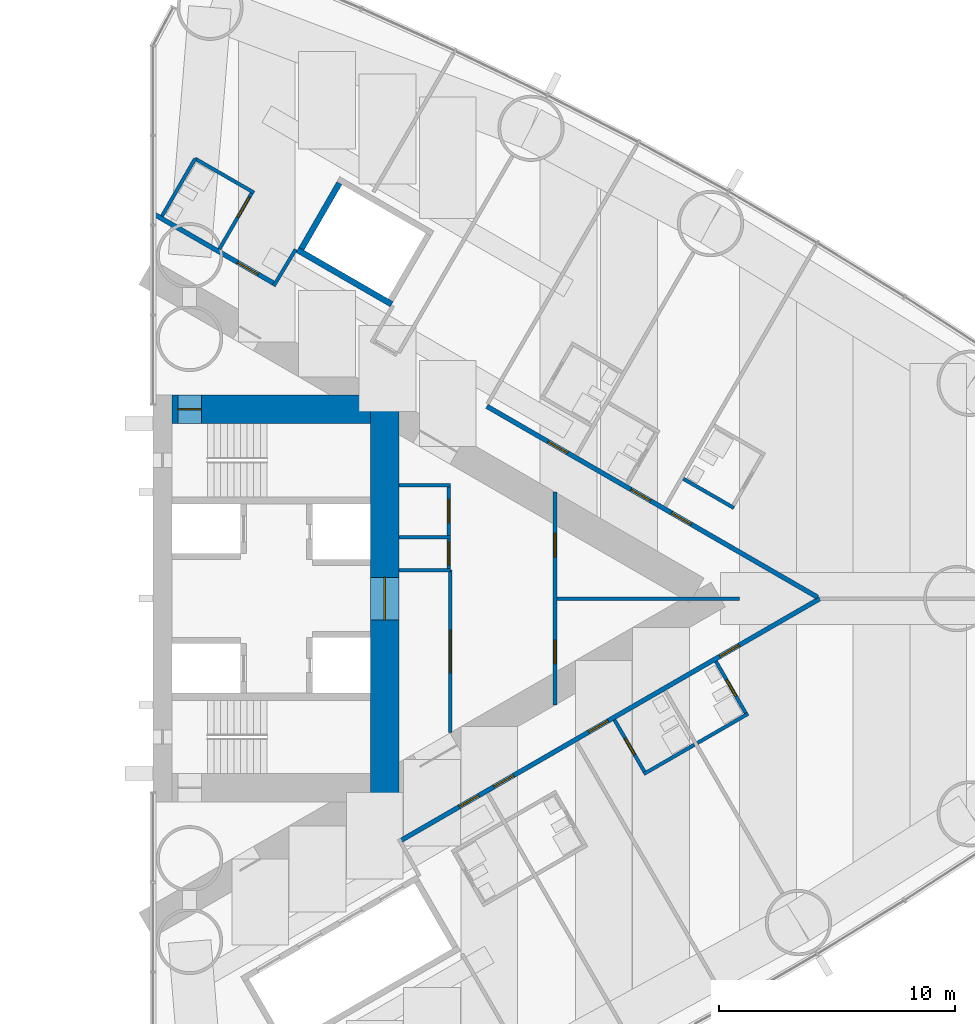
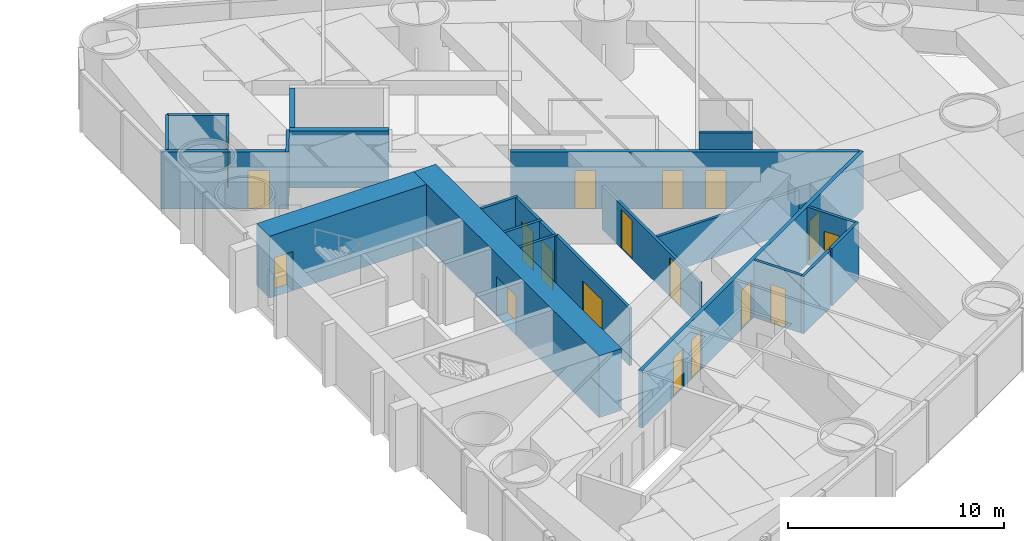
# One storey, part 15 of 19: 24 walls, 18 doors, 18 openings.
"""IFC4 building model written with IfcOpenShell, lengths in metres."""

from ifc_helpers import new_model, si_unit, direction, frame, frame_2d, origin, place, context, subcontext, project, spatial, rectangle, extrude, material, layer, layer_set, type_object, element, fill, save


model = new_model("IFC4")

# Units and contexts
model_context = context("Model", 3, precision=1e-05, world=origin(), true_north=direction((0.0, 1.0)))
body_context = subcontext(model_context, "Body", "Model", "MODEL_VIEW")
ifc_project = project(units=[si_unit("LENGTHUNIT", "METRE"), si_unit("AREAUNIT", "SQUARE_METRE"), si_unit("VOLUMEUNIT", "CUBIC_METRE"), si_unit("PLANEANGLEUNIT", "RADIAN"), si_unit("MASSUNIT", "GRAM", prefix="KILO")], contexts=[model_context])

# Site, building, storey
site_placement = place(None, origin())
site = spatial("IfcSite", under=ifc_project, at=site_placement, CompositionType="ELEMENT")
building_placement = place(site_placement, origin())
building = spatial("IfcBuilding", under=site, at=building_placement, Name="Lancet Gate Hotel", CompositionType="ELEMENT")
storey_placement = place(building_placement, frame((0.0, 0.0, 28.5)))
storey = spatial("IfcBuildingStorey", under=building, at=storey_placement, Name="L06", CompositionType="ELEMENT", Elevation=28.5)

# Wall
ifc_material_1 = material(Name="Moisture resistant board partition")
ifc_layer_1 = layer(ifc_material_1, 0.14990234375)
ifc_layer_set_1 = layer_set([ifc_layer_1], Name="Bathroom wall 150")
wall_type_1 = type_object("IfcWallType", Name="Bathroom wall 150", PredefinedType="PARTITIONING", material=ifc_layer_set_1)
wall_1_placement = place(storey_placement, frame((48.251220703125, -7.419677734375, 0.0), z_axis=(0.0, 0.0, 1.0), x_axis=(0.866006523861, 0.500032699561, 0.0)))
element("IfcWall", 1, at=wall_1_placement, inside=storey, type_object=wall_type_1, Name="T2 bathroom wall 150 L06", PredefinedType="PARTITIONING", context=body_context, shape_type="SweptSolid", body=[
    extrude(rectangle(XDim=2.474853515625, YDim=0.14990234375, at=frame_2d((1.2373046875, 0.0))), origin(), (0.0, 0.0, 1.0), 3.25),
])

# Wall, opening, door
wall_2_placement = place(storey_placement, frame((47.01611328125, -5.13037109375, 0.0), z_axis=(0.0, 0.0, 1.0), x_axis=(0.500006934395, -0.866021400173, 0.0)))
wall_2 = element("IfcWall", 2, at=wall_2_placement, inside=storey, type_object=wall_type_1, Name="T2 bathroom wall 150 L06", PredefinedType="PARTITIONING", context=body_context, shape_type="SweptSolid", body=[
    extrude(rectangle(XDim=2.60009765625, YDim=0.14990234375, at=frame_2d((1.300048828125, 0.0))), origin(), (0.0, 0.0, 1.0), 3.25),
])
opening_1_placement = place(wall_2_placement, frame((0.89990234375, 0.0, 0.0)))
opening_1 = element("IfcOpeningElement", 3, at=opening_1_placement, cuts=wall_2, Name="Opening 0655-B", PredefinedType="OPENING", context=body_context, shape_type="SweptSolid", body=[
    extrude(rectangle(XDim=0.800048828125, YDim=2.199951171875, at=frame_2d((0.39990234375, 1.10009765625))), frame((0.0, 0.0849609375, 0.0), z_axis=(0.0, -1.0, 0.0), x_axis=(1.0, 0.0, 0.0)), (0.0, 0.0, 1.0), 0.169921875),
])
ifc_material_2 = material(Name="Timber door set", Category="wood")
door_type_1 = type_object("IfcDoorType", Name="Bathroom door 800", OperationType="SINGLE_SWING_RIGHT", PredefinedType="DOOR", material=ifc_material_2)
door_1_placement = place(opening_1_placement, origin())
door_1 = element("IfcDoor", 4, at=door_1_placement, inside=storey, type_object=door_type_1, Name="0655-B", OperationType="SINGLE_SWING_RIGHT", OverallHeight=2.199951171875, OverallWidth=0.800048828125, PredefinedType="DOOR", context=body_context, shape_type="SweptSolid", body=[
    extrude(rectangle(XDim=0.800048828125, YDim=2.199951171875, at=frame_2d((0.39990234375, 1.10009765625))), frame((0.0, 0.02490234375, 0.0), z_axis=(0.0, -1.0, 0.0), x_axis=(1.0, 0.0, 0.0)), (0.0, 0.0, 1.0), 0.050048828125),
])
fill(opening_1, door_1)

# Wall
wall_3_placement = place(storey_placement, frame((50.5244140625, -6.107177734375, 0.0), z_axis=(0.0, 0.0, 1.0), x_axis=(0.866031185235, 0.4999899861, 0.0)))
element("IfcWall", 5, at=wall_3_placement, inside=storey, type_object=wall_type_1, Name="T2 bathroom wall 150 L06", PredefinedType="PARTITIONING", context=body_context, shape_type="SweptSolid", body=[
    extrude(rectangle(XDim=2.47509765625, YDim=0.14990234375, at=frame_2d((1.237548828125, 0.0))), origin(), (0.0, 0.0, 1.0), 3.25),
])

# Wall, opening, door
wall_4_placement = place(storey_placement, frame((51.302978515625, -2.655517578125, 0.0), z_axis=(0.0, 0.0, 1.0), x_axis=(0.500047596559, -0.865997922154, 0.0)))
wall_4 = element("IfcWall", 6, at=wall_4_placement, inside=storey, type_object=wall_type_1, Name="T2 bathroom wall 150 L06", PredefinedType="PARTITIONING", context=body_context, shape_type="SweptSolid", body=[
    extrude(rectangle(XDim=2.599853515625, YDim=0.14990234375, at=frame_2d((1.2998046875, 0.0))), origin(), (0.0, 0.0, 1.0), 3.25),
])
opening_2_placement = place(wall_4_placement, frame((0.89990234375, 0.0, 0.0)))
opening_2 = element("IfcOpeningElement", 7, at=opening_2_placement, cuts=wall_4, Name="Opening 0656-B", PredefinedType="OPENING", context=body_context, shape_type="SweptSolid", body=[
    extrude(rectangle(XDim=0.800048828125, YDim=2.199951171875, at=frame_2d((0.39990234375, 1.10009765625))), frame((0.0, 0.0849609375, 0.0), z_axis=(0.0, -1.0, 0.0), x_axis=(1.0, 0.0, 0.0)), (0.0, 0.0, 1.0), 0.169921875),
])
door_2_placement = place(opening_2_placement, origin())
door_2 = element("IfcDoor", 8, at=door_2_placement, inside=storey, type_object=door_type_1, Name="0656-B", OperationType="SINGLE_SWING_RIGHT", OverallHeight=2.199951171875, OverallWidth=0.800048828125, PredefinedType="DOOR", context=body_context, shape_type="SweptSolid", body=[
    extrude(rectangle(XDim=0.800048828125, YDim=2.199951171875, at=frame_2d((0.39990234375, 1.10009765625))), frame((0.0, 0.02490234375, 0.0), z_axis=(0.0, -1.0, 0.0), x_axis=(1.0, 0.0, 0.0)), (0.0, 0.0, 1.0), 0.050048828125),
])
fill(opening_2, door_2)

# Walls
wall_5_placement = place(storey_placement, frame((49.924560546875, 5.06787109375, 0.0), z_axis=(0.0, 0.0, 1.0), x_axis=(0.866006523861, -0.500032699561, 0.0)))
element("IfcWall", 9, at=wall_5_placement, inside=storey, type_object=wall_type_1, Name="T2 bathroom wall 150 L06", PredefinedType="PARTITIONING", context=body_context, shape_type="SweptSolid", body=[
    extrude(rectangle(XDim=2.474853515625, YDim=0.14990234375, at=frame_2d((1.2373046875, 0.0))), origin(), (0.0, 0.0, 1.0), 3.25),
])
wall_6_placement = place(storey_placement, frame((29.281982421875, 18.6025390625, 0.0), z_axis=(0.0, 0.0, 1.0), x_axis=(0.866018712932, -0.500011588718, 0.0)))
element("IfcWall", 10, at=wall_6_placement, inside=storey, type_object=wall_type_1, Name="T2 bathroom wall 150 L06", PredefinedType="PARTITIONING", context=body_context, shape_type="SweptSolid", body=[
    extrude(rectangle(XDim=2.875, YDim=0.14990234375, at=frame_2d((1.4375, 0.0))), origin(), (0.0, 0.0, 1.0), 3.25),
])

# Wall, opening, door
wall_7_placement = place(storey_placement, frame((30.306640625, 14.777587890625, 0.0), z_axis=(0.0, 0.0, 1.0), x_axis=(0.500049511043, 0.865996816683, 0.0)))
wall_7 = element("IfcWall", 11, at=wall_7_placement, inside=storey, type_object=wall_type_1, Name="T2 bathroom wall 150 L06", PredefinedType="PARTITIONING", context=body_context, shape_type="SweptSolid", body=[
    extrude(rectangle(XDim=2.800048828125, YDim=0.14990234375, at=frame_2d((1.39990234375, 0.0))), origin(), (0.0, 0.0, 1.0), 3.25),
])
opening_3_placement = place(wall_7_placement, frame((1.550048828125, 0.0, 0.0)))
opening_3 = element("IfcOpeningElement", 12, at=opening_3_placement, cuts=wall_7, Name="Opening 0664-B", PredefinedType="OPENING", context=body_context, shape_type="SweptSolid", body=[
    extrude(rectangle(XDim=1.0, YDim=2.199951171875, at=frame_2d((0.5, 1.10009765625))), frame((0.0, 0.0849609375, 0.0), z_axis=(0.0, -1.0, 0.0), x_axis=(1.0, 0.0, 0.0)), (0.0, 0.0, 1.0), 0.169921875),
])
ifc_material_3 = material(Name="Timber door set", Category="wood")
door_type_2 = type_object("IfcDoorType", Name="Accessible en-suite door 1000", OperationType="SINGLE_SWING_RIGHT", PredefinedType="DOOR", material=ifc_material_3)
door_3_placement = place(opening_3_placement, origin())
door_3 = element("IfcDoor", 13, at=door_3_placement, inside=storey, type_object=door_type_2, Name="0664-B", OperationType="SINGLE_SWING_RIGHT", OverallHeight=2.199951171875, OverallWidth=1.0, PredefinedType="DOOR", context=body_context, shape_type="SweptSolid", body=[
    extrude(rectangle(XDim=1.0, YDim=2.199951171875, at=frame_2d((0.5, 1.10009765625))), frame((0.0, 0.02490234375, 0.0), z_axis=(0.0, -1.0, 0.0), x_axis=(1.0, 0.0, 0.0)), (0.0, 0.0, 1.0), 0.050048828125),
])
fill(opening_3, door_3)

# Wall
wall_8_placement = place(storey_placement, frame((27.8818359375, 16.177490234375, 0.0), z_axis=(0.0, 0.0, 1.0), x_axis=(0.500011755427, 0.866018616679, 0.0)))
element("IfcWall", 14, at=wall_8_placement, inside=storey, type_object=wall_type_1, Name="T2 bathroom wall 150 L06", PredefinedType="PARTITIONING", context=body_context, shape_type="SweptSolid", body=[
    extrude(rectangle(XDim=2.80029296875, YDim=0.14990234375, at=frame_2d((1.400146484375, 0.0))), origin(), (0.0, 0.0, 1.0), 3.25),
])

# Wall, opening, door
ifc_material_4 = material(Name="Concrete C70/85", Category="concrete")
ifc_layer_2 = layer(ifc_material_4, 1.199951171875)
ifc_layer_set_2 = layer_set([ifc_layer_2], Name="Core wall 1200")
wall_type_2 = type_object("IfcWallType", Name="Core wall 1200", PredefinedType="SHEAR", material=ifc_layer_set_2)
wall_9_placement = place(storey_placement, frame((37.300048828125, -8.60009765625, 0.0), z_axis=(0.0, 0.0, 1.0), x_axis=(0.0, 1.0, 0.0)))
wall_9 = element("IfcWall", 15, at=wall_9_placement, inside=storey, type_object=wall_type_2, Name="T2 core wall back L06", PredefinedType="SHEAR", context=body_context, shape_type="SweptSolid", body=[
    extrude(rectangle(XDim=17.2001953125, YDim=1.199951171875, at=frame_2d((8.60009765625, 0.0))), origin(), (0.0, 0.0, 1.0), 3.5),
])
opening_4_placement = place(wall_9_placement, frame((7.699951171875, 0.0, 0.0)))
opening_4 = element("IfcOpeningElement", 16, at=opening_4_placement, cuts=wall_9, Name="Opening T2-L06-LL", PredefinedType="OPENING", context=body_context, shape_type="SweptSolid", body=[
    extrude(rectangle(XDim=1.800048828125, YDim=2.199951171875, at=frame_2d((0.89990234375, 1.10009765625))), frame((0.0, 0.60986328125, 0.0), z_axis=(0.0, -1.0, 0.0), x_axis=(1.0, 0.0, 0.0)), (0.0, 0.0, 1.0), 1.219970703125),
])
ifc_material_5 = material(Name="Timber door set", Category="wood")
door_type_3 = type_object("IfcDoorType", Name="Lobby double door 1800", OperationType="DOUBLE_DOOR_SINGLE_SWING", PredefinedType="DOOR", material=ifc_material_5)
door_4_placement = place(opening_4_placement, origin())
door_4 = element("IfcDoor", 17, at=door_4_placement, inside=storey, type_object=door_type_3, Name="T2-L06-LL", OperationType="DOUBLE_DOOR_SINGLE_SWING", OverallHeight=2.199951171875, OverallWidth=1.800048828125, PredefinedType="DOOR", context=body_context, shape_type="SweptSolid", body=[
    extrude(rectangle(XDim=1.800048828125, YDim=2.199951171875, at=frame_2d((0.89990234375, 1.10009765625))), frame((0.0, 0.02490234375, 0.0), z_axis=(0.0, -1.0, 0.0), x_axis=(1.0, 0.0, 0.0)), (0.0, 0.0, 1.0), 0.050048828125),
])
fill(opening_4, door_4)

wall_10_placement = place(storey_placement, frame((28.300048828125, 8.0, 0.0), z_axis=(0.0, 0.0, 1.0), x_axis=(1.0, 0.0, 0.0)))
wall_10 = element("IfcWall", 18, at=wall_10_placement, inside=storey, type_object=wall_type_2, Name="T2 core wall side-N L06", PredefinedType="SHEAR", context=body_context, shape_type="SweptSolid", body=[
    extrude(rectangle(XDim=8.39990234375, YDim=1.199951171875, at=frame_2d((4.199951171875, 0.0))), origin(), (0.0, 0.0, 1.0), 3.5),
])
opening_5_placement = place(wall_10_placement, frame((0.25, 0.0, 0.0)))
opening_5 = element("IfcOpeningElement", 19, at=opening_5_placement, cuts=wall_10, Name="Opening T2-L06-ST2", PredefinedType="OPENING", context=body_context, shape_type="SweptSolid", body=[
    extrude(rectangle(XDim=1.0, YDim=2.199951171875, at=frame_2d((0.5, 1.10009765625))), frame((0.0, 0.60986328125, 0.0), z_axis=(0.0, -1.0, 0.0), x_axis=(1.0, 0.0, 0.0)), (0.0, 0.0, 1.0), 1.219970703125),
])
ifc_material_6 = material(Name="Timber door set", Category="wood")
door_type_4 = type_object("IfcDoorType", Name="Stair door 1000", OperationType="SINGLE_SWING_RIGHT", PredefinedType="DOOR", material=ifc_material_6)
door_5_placement = place(opening_5_placement, origin())
door_5 = element("IfcDoor", 20, at=door_5_placement, inside=storey, type_object=door_type_4, Name="T2-L06-ST2", OperationType="SINGLE_SWING_RIGHT", OverallHeight=2.199951171875, OverallWidth=1.0, PredefinedType="DOOR", context=body_context, shape_type="SweptSolid", body=[
    extrude(rectangle(XDim=1.0, YDim=2.199951171875, at=frame_2d((0.5, 1.10009765625))), frame((0.0, 0.02490234375, 0.0), z_axis=(0.0, -1.0, 0.0), x_axis=(1.0, 0.0, 0.0)), (0.0, 0.0, 1.0), 0.050048828125),
])
fill(opening_5, door_5)

# Wall, openings, doors
ifc_material_7 = material(Name="Gypsum board partition")
ifc_layer_3 = layer(ifc_material_7, 0.199951171875)
ifc_layer_set_3 = layer_set([ifc_layer_3], Name="Corridor wall 200")
wall_type_3 = type_object("IfcWallType", Name="Corridor wall 200", PredefinedType="PARTITIONING", material=ifc_layer_set_3)
wall_11_placement = place(storey_placement, frame((37.9599609375, -10.243408203125, 0.0), z_axis=(0.0, 0.0, 1.0), x_axis=(0.866026429433, 0.499998223521, 0.0)))
wall_11 = element("IfcWall", 21, at=wall_11_placement, inside=storey, type_object=wall_type_3, Name="T2 corridor wall 200 L06", PredefinedType="PARTITIONING", context=body_context, shape_type="SweptSolid", body=[
    extrude(rectangle(XDim=20.48681640625, YDim=0.199951171875, at=frame_2d((10.243408203125, 0.0))), origin(), (0.0, 0.0, 1.0), 3.25),
])
opening_6_placement = place(wall_11_placement, frame((4.574951171875, 0.0, 0.0)))
opening_6 = element("IfcOpeningElement", 22, at=opening_6_placement, cuts=wall_11, Name="Opening 0654-E", PredefinedType="OPENING", context=body_context, shape_type="SweptSolid", body=[
    extrude(rectangle(XDim=0.949951171875, YDim=2.199951171875, at=frame_2d((0.47509765625, 1.10009765625))), frame((0.0, 0.10986328125, 0.0), z_axis=(0.0, -1.0, 0.0), x_axis=(1.0, 0.0, 0.0)), (0.0, 0.0, 1.0), 0.219970703125),
])
opening_7_placement = place(wall_11_placement, frame((9.199462890625, 0.0, 0.0)))
opening_7 = element("IfcOpeningElement", 23, at=opening_7_placement, cuts=wall_11, Name="Opening 0655-E", PredefinedType="OPENING", context=body_context, shape_type="SweptSolid", body=[
    extrude(rectangle(XDim=0.949951171875, YDim=2.199951171875, at=frame_2d((0.47509765625, 1.10009765625))), frame((0.0, 0.10986328125, 0.0), z_axis=(0.0, -1.0, 0.0), x_axis=(1.0, 0.0, 0.0)), (0.0, 0.0, 1.0), 0.219970703125),
])
opening_8_placement = place(wall_11_placement, frame((15.599365234375, 0.0, 0.0)))
opening_8 = element("IfcOpeningElement", 24, at=opening_8_placement, cuts=wall_11, Name="Opening 0656-E", PredefinedType="OPENING", context=body_context, shape_type="SweptSolid", body=[
    extrude(rectangle(XDim=0.949951171875, YDim=2.199951171875, at=frame_2d((0.47509765625, 1.10009765625))), frame((0.0, 0.10986328125, 0.0), z_axis=(0.0, -1.0, 0.0), x_axis=(1.0, 0.0, 0.0)), (0.0, 0.0, 1.0), 0.219970703125),
])
opening_9_placement = place(wall_11_placement, frame((2.875, 0.0, 0.0)))
opening_9 = element("IfcOpeningElement", 25, at=opening_9_placement, cuts=wall_11, Name="Opening 0653-E", PredefinedType="OPENING", context=body_context, shape_type="SweptSolid", body=[
    extrude(rectangle(XDim=0.949951171875, YDim=2.199951171875, at=frame_2d((0.47509765625, 1.10009765625))), frame((0.0, 0.10986328125, 0.0), z_axis=(0.0, -1.0, 0.0), x_axis=(1.0, 0.0, 0.0)), (0.0, 0.0, 1.0), 0.219970703125),
])
ifc_material_8 = material(Name="Timber door set", Category="wood")
door_type_5 = type_object("IfcDoorType", Name="Guest room entry door 950", OperationType="SINGLE_SWING_LEFT", PredefinedType="DOOR", material=ifc_material_8)
door_6_placement = place(opening_6_placement, origin())
door_6 = element("IfcDoor", 26, at=door_6_placement, inside=storey, type_object=door_type_5, Name="0654-E", OperationType="SINGLE_SWING_LEFT", OverallHeight=2.199951171875, OverallWidth=0.949951171875, PredefinedType="DOOR", context=body_context, shape_type="SweptSolid", body=[
    extrude(rectangle(XDim=0.949951171875, YDim=2.199951171875, at=frame_2d((0.47509765625, 1.10009765625))), frame((0.0, 0.02490234375, 0.0), z_axis=(0.0, -1.0, 0.0), x_axis=(1.0, 0.0, 0.0)), (0.0, 0.0, 1.0), 0.050048828125),
])
fill(opening_6, door_6)
door_7_placement = place(opening_7_placement, origin())
door_7 = element("IfcDoor", 27, at=door_7_placement, inside=storey, type_object=door_type_5, Name="0655-E", OperationType="SINGLE_SWING_LEFT", OverallHeight=2.199951171875, OverallWidth=0.949951171875, PredefinedType="DOOR", context=body_context, shape_type="SweptSolid", body=[
    extrude(rectangle(XDim=0.949951171875, YDim=2.199951171875, at=frame_2d((0.47509765625, 1.10009765625))), frame((0.0, 0.02490234375, 0.0), z_axis=(0.0, -1.0, 0.0), x_axis=(1.0, 0.0, 0.0)), (0.0, 0.0, 1.0), 0.050048828125),
])
fill(opening_7, door_7)
door_8_placement = place(opening_8_placement, origin())
door_8 = element("IfcDoor", 28, at=door_8_placement, inside=storey, type_object=door_type_5, Name="0656-E", OperationType="SINGLE_SWING_LEFT", OverallHeight=2.199951171875, OverallWidth=0.949951171875, PredefinedType="DOOR", context=body_context, shape_type="SweptSolid", body=[
    extrude(rectangle(XDim=0.949951171875, YDim=2.199951171875, at=frame_2d((0.47509765625, 1.10009765625))), frame((0.0, 0.02490234375, 0.0), z_axis=(0.0, -1.0, 0.0), x_axis=(1.0, 0.0, 0.0)), (0.0, 0.0, 1.0), 0.050048828125),
])
fill(opening_8, door_8)
door_9_placement = place(opening_9_placement, origin())
door_9 = element("IfcDoor", 29, at=door_9_placement, inside=storey, type_object=door_type_5, Name="0653-E", OperationType="SINGLE_SWING_LEFT", OverallHeight=2.199951171875, OverallWidth=0.949951171875, PredefinedType="DOOR", context=body_context, shape_type="SweptSolid", body=[
    extrude(rectangle(XDim=0.949951171875, YDim=2.199951171875, at=frame_2d((0.47509765625, 1.10009765625))), frame((0.0, 0.02490234375, 0.0), z_axis=(0.0, -1.0, 0.0), x_axis=(1.0, 0.0, 0.0)), (0.0, 0.0, 1.0), 0.050048828125),
])
fill(opening_9, door_9)

# Wall, opening, door
wall_12_placement = place(storey_placement, frame((27.572021484375, 16.240966796875, 0.0), z_axis=(0.0, 0.0, 1.0), x_axis=(0.866032814021, -0.499987164874, 0.0)))
wall_12 = element("IfcWall", 30, at=wall_12_placement, inside=storey, type_object=wall_type_3, Name="T2 corridor wall 200 L06", PredefinedType="PARTITIONING", context=body_context, shape_type="SweptSolid", body=[
    extrude(rectangle(XDim=5.854736328125, YDim=0.199951171875, at=frame_2d((2.92724609375, 0.0))), origin(), (0.0, 0.0, 1.0), 3.25),
])
opening_10_placement = place(wall_12_placement, frame((4.050048828125, 0.0, 0.0)))
opening_10 = element("IfcOpeningElement", 31, at=opening_10_placement, cuts=wall_12, Name="Opening 0664-E", PredefinedType="OPENING", context=body_context, shape_type="SweptSolid", body=[
    extrude(rectangle(XDim=1.0, YDim=2.199951171875, at=frame_2d((0.5, 1.10009765625))), frame((0.0, 0.10986328125, 0.0), z_axis=(0.0, -1.0, 0.0), x_axis=(1.0, 0.0, 0.0)), (0.0, 0.0, 1.0), 0.219970703125),
])
ifc_material_9 = material(Name="Timber door set", Category="wood")
door_type_6 = type_object("IfcDoorType", Name="Accessible guest room door 1000", OperationType="SINGLE_SWING_LEFT", PredefinedType="DOOR", material=ifc_material_9)
door_10_placement = place(opening_10_placement, origin())
door_10 = element("IfcDoor", 32, at=door_10_placement, inside=storey, type_object=door_type_6, Name="0664-E", OperationType="SINGLE_SWING_LEFT", OverallHeight=2.199951171875, OverallWidth=1.0, PredefinedType="DOOR", context=body_context, shape_type="SweptSolid", body=[
    extrude(rectangle(XDim=1.0, YDim=2.199951171875, at=frame_2d((0.5, 1.10009765625))), frame((0.0, 0.02490234375, 0.0), z_axis=(0.0, -1.0, 0.0), x_axis=(1.0, 0.0, 0.0)), (0.0, 0.0, 1.0), 0.050048828125),
])
fill(opening_10, door_10)

# Wall, openings, doors
wall_13_placement = place(storey_placement, frame((41.618896484375, 8.130859375, 0.0), z_axis=(0.0, 0.0, 1.0), x_axis=(0.86603245327, -0.499987789734, 0.0)))
wall_13 = element("IfcWall", 33, at=wall_13_placement, inside=storey, type_object=wall_type_3, Name="T2 corridor wall 200 L06", PredefinedType="PARTITIONING", context=body_context, shape_type="SweptSolid", body=[
    extrude(rectangle(XDim=16.14208984375, YDim=0.199951171875, at=frame_2d((8.071044921875, 0.0))), origin(), (0.0, 0.0, 1.0), 3.25),
])
opening_11_placement = place(wall_13_placement, frame((9.0244140625, 0.0, 0.0)))
opening_11 = element("IfcOpeningElement", 34, at=opening_11_placement, cuts=wall_13, Name="Opening 0658-E", PredefinedType="OPENING", context=body_context, shape_type="SweptSolid", body=[
    extrude(rectangle(XDim=0.949951171875, YDim=2.199951171875, at=frame_2d((0.47509765625, 1.10009765625))), frame((0.0, 0.10986328125, 0.0), z_axis=(0.0, -1.0, 0.0), x_axis=(1.0, 0.0, 0.0)), (0.0, 0.0, 1.0), 0.219970703125),
])
opening_12_placement = place(wall_13_placement, frame((7.03662109375, 0.0, 0.0)))
opening_12 = element("IfcOpeningElement", 35, at=opening_12_placement, cuts=wall_13, Name="Opening 0660-E", PredefinedType="OPENING", context=body_context, shape_type="SweptSolid", body=[
    extrude(rectangle(XDim=0.949951171875, YDim=2.199951171875, at=frame_2d((0.47509765625, 1.10009765625))), frame((0.0, 0.10986328125, 0.0), z_axis=(0.0, -1.0, 0.0), x_axis=(1.0, 0.0, 0.0)), (0.0, 0.0, 1.0), 0.219970703125),
])
opening_13_placement = place(wall_13_placement, frame((2.986572265625, 0.0, 0.0)))
opening_13 = element("IfcOpeningElement", 36, at=opening_13_placement, cuts=wall_13, Name="Opening 0661-E", PredefinedType="OPENING", context=body_context, shape_type="SweptSolid", body=[
    extrude(rectangle(XDim=0.949951171875, YDim=2.199951171875, at=frame_2d((0.47509765625, 1.10009765625))), frame((0.0, 0.10986328125, 0.0), z_axis=(0.0, -1.0, 0.0), x_axis=(1.0, 0.0, 0.0)), (0.0, 0.0, 1.0), 0.219970703125),
])
door_11_placement = place(opening_11_placement, origin())
door_11 = element("IfcDoor", 37, at=door_11_placement, inside=storey, type_object=door_type_5, Name="0658-E", OperationType="SINGLE_SWING_LEFT", OverallHeight=2.199951171875, OverallWidth=0.949951171875, PredefinedType="DOOR", context=body_context, shape_type="SweptSolid", body=[
    extrude(rectangle(XDim=0.949951171875, YDim=2.199951171875, at=frame_2d((0.47509765625, 1.10009765625))), frame((0.0, 0.02490234375, 0.0), z_axis=(0.0, -1.0, 0.0), x_axis=(1.0, 0.0, 0.0)), (0.0, 0.0, 1.0), 0.050048828125),
])
fill(opening_11, door_11)
door_12_placement = place(opening_12_placement, origin())
door_12 = element("IfcDoor", 38, at=door_12_placement, inside=storey, type_object=door_type_5, Name="0660-E", OperationType="SINGLE_SWING_LEFT", OverallHeight=2.199951171875, OverallWidth=0.949951171875, PredefinedType="DOOR", context=body_context, shape_type="SweptSolid", body=[
    extrude(rectangle(XDim=0.949951171875, YDim=2.199951171875, at=frame_2d((0.47509765625, 1.10009765625))), frame((0.0, 0.02490234375, 0.0), z_axis=(0.0, -1.0, 0.0), x_axis=(1.0, 0.0, 0.0)), (0.0, 0.0, 1.0), 0.050048828125),
])
fill(opening_12, door_12)
door_13_placement = place(opening_13_placement, origin())
door_13 = element("IfcDoor", 39, at=door_13_placement, inside=storey, type_object=door_type_5, Name="0661-E", OperationType="SINGLE_SWING_LEFT", OverallHeight=2.199951171875, OverallWidth=0.949951171875, PredefinedType="DOOR", context=body_context, shape_type="SweptSolid", body=[
    extrude(rectangle(XDim=0.949951171875, YDim=2.199951171875, at=frame_2d((0.47509765625, 1.10009765625))), frame((0.0, 0.02490234375, 0.0), z_axis=(0.0, -1.0, 0.0), x_axis=(1.0, 0.0, 0.0)), (0.0, 0.0, 1.0), 0.050048828125),
])
fill(opening_13, door_13)

# Walls
ifc_material_10 = material(Name="Gypsum board partition")
ifc_layer_4 = layer(ifc_material_10, 0.25)
ifc_layer_set_4 = layer_set([ifc_layer_4], Name="Lift shaft partition 250")
wall_type_4 = type_object("IfcWallType", Name="Lift shaft partition 250", PredefinedType="PARTITIONING", material=ifc_layer_set_4)
wall_14_placement = place(storey_placement, frame((33.6083984375, 14.747314453125, 0.0), z_axis=(0.0, 0.0, 1.0), x_axis=(0.866043305498, -0.49996899204, 0.0)))
element("IfcWall", 40, at=wall_14_placement, inside=storey, type_object=wall_type_4, Name="T2 lift shaft wall EX L06", PredefinedType="PARTITIONING", context=body_context, shape_type="SweptSolid", body=[
    extrude(rectangle(XDim=4.600341796875, YDim=0.25, at=frame_2d((2.30029296875, 0.0))), origin(), (0.0, 0.0, 1.0), 3.25),
])
wall_15_placement = place(storey_placement, frame((33.779296875, 14.79296875, 0.0), z_axis=(0.0, 0.0, 1.0), x_axis=(0.499929347863, 0.866066190972, 0.0)))
element("IfcWall", 41, at=wall_15_placement, inside=storey, type_object=wall_type_4, Name="T2 lift shaft wall EX L06", PredefinedType="PARTITIONING", context=body_context, shape_type="SweptSolid", body=[
    extrude(rectangle(XDim=3.20068359375, YDim=0.25, at=frame_2d((1.600341796875, 0.0))), origin(), (0.0, 0.0, 1.0), 3.25),
])
ifc_material_11 = material(Name="Gypsum board partition")
ifc_layer_5 = layer(ifc_material_11, 0.14990234375)
ifc_layer_set_5 = layer_set([ifc_layer_5], Name="Service room wall 150")
wall_type_5 = type_object("IfcWallType", Name="Service room wall 150", PredefinedType="PARTITIONING", material=ifc_layer_set_5)
wall_16_placement = place(storey_placement, frame((33.533447265625, 14.767333984375, 0.0), z_axis=(0.0, 0.0, 1.0), x_axis=(-0.514296815006, -0.857612258585, 0.0)))
element("IfcWall", 42, at=wall_16_placement, inside=storey, type_object=wall_type_5, Name="T2 service room wall 150 L06", PredefinedType="PARTITIONING", context=body_context, shape_type="SweptSolid", body=[
    extrude(rectangle(XDim=1.804931640625, YDim=0.14990234375, at=frame_2d((0.90234375, 0.0))), origin(), (0.0, 0.0, 1.0), 3.25),
])
for number, where, z_axis, x_axis, name in (
    (43, (37.89990234375, 1.199951171875, 0.0), (0.0, 0.0, 1.0), (1.0, 0.0, 0.0), "T2 service room wall 150 L06"),
    (44, (37.89990234375, 2.60009765625, 0.0), (0.0, 0.0, 1.0), (1.0, 0.0, 0.0), "T2 service room wall 150 L06"),
    (45, (37.89990234375, 4.800048828125, 0.0), (0.0, 0.0, 1.0), (1.0, 0.0, 0.0), "T2 service room wall 150 L06"),
):
    element("IfcWall", number, at=place(storey_placement, frame(where, z_axis=z_axis, x_axis=x_axis)), inside=storey, type_object=wall_type_5, Name=name, PredefinedType="PARTITIONING", context=body_context, shape_type="SweptSolid", body=[
        extrude(rectangle(XDim=2.175048828125, YDim=0.14990234375, at=frame_2d((1.08740234375, 0.0))), origin(), (0.0, 0.0, 1.0), 3.25),
    ])

# Wall, opening, door
wall_17_placement = place(storey_placement, frame((40.0, 1.125, 0.0), z_axis=(0.0, 0.0, 1.0), x_axis=(0.0, 1.0, 0.0)))
wall_17 = element("IfcWall", 46, at=wall_17_placement, inside=storey, type_object=wall_type_5, Name="T2 service room wall 150 L06", PredefinedType="PARTITIONING", context=body_context, shape_type="SweptSolid", body=[
    extrude(rectangle(XDim=1.550048828125, YDim=0.14990234375, at=frame_2d((0.77490234375, 0.0))), origin(), (0.0, 0.0, 1.0), 3.25),
])
opening_14_placement = place(wall_17_placement, frame((0.27490234375, 0.0, 0.0)))
opening_14 = element("IfcOpeningElement", 47, at=opening_14_placement, cuts=wall_17, Name="Opening T2-L06-HRN0", PredefinedType="OPENING", context=body_context, shape_type="SweptSolid", body=[
    extrude(rectangle(XDim=1.0, YDim=2.199951171875, at=frame_2d((0.5, 1.10009765625))), frame((0.0, 0.0849609375, 0.0), z_axis=(0.0, -1.0, 0.0), x_axis=(1.0, 0.0, 0.0)), (0.0, 0.0, 1.0), 0.169921875),
])
ifc_material_12 = material(Name="Timber door set", Category="wood")
door_type_7 = type_object("IfcDoorType", Name="Service door 1000", OperationType="SINGLE_SWING_LEFT", PredefinedType="DOOR", material=ifc_material_12)
door_14_placement = place(opening_14_placement, origin())
door_14 = element("IfcDoor", 48, at=door_14_placement, inside=storey, type_object=door_type_7, Name="T2-L06-HRN0", OperationType="SINGLE_SWING_LEFT", OverallHeight=2.199951171875, OverallWidth=1.0, PredefinedType="DOOR", context=body_context, shape_type="SweptSolid", body=[
    extrude(rectangle(XDim=1.0, YDim=2.199951171875, at=frame_2d((0.5, 1.10009765625))), frame((0.0, 0.02490234375, 0.0), z_axis=(0.0, -1.0, 0.0), x_axis=(1.0, 0.0, 0.0)), (0.0, 0.0, 1.0), 0.050048828125),
])
fill(opening_14, door_14)

wall_18_placement = place(storey_placement, frame((40.0, 2.52490234375, 0.0), z_axis=(0.0, 0.0, 1.0), x_axis=(0.0, 1.0, 0.0)))
wall_18 = element("IfcWall", 49, at=wall_18_placement, inside=storey, type_object=wall_type_5, Name="T2 service room wall 150 L06", PredefinedType="PARTITIONING", context=body_context, shape_type="SweptSolid", body=[
    extrude(rectangle(XDim=2.35009765625, YDim=0.14990234375, at=frame_2d((1.175048828125, 0.0))), origin(), (0.0, 0.0, 1.0), 3.25),
])
opening_15_placement = place(wall_18_placement, frame((0.675048828125, 0.0, 0.0)))
opening_15 = element("IfcOpeningElement", 50, at=opening_15_placement, cuts=wall_18, Name="Opening T2-L06-HRN1", PredefinedType="OPENING", context=body_context, shape_type="SweptSolid", body=[
    extrude(rectangle(XDim=1.0, YDim=2.199951171875, at=frame_2d((0.5, 1.10009765625))), frame((0.0, 0.0849609375, 0.0), z_axis=(0.0, -1.0, 0.0), x_axis=(1.0, 0.0, 0.0)), (0.0, 0.0, 1.0), 0.169921875),
])
door_15_placement = place(opening_15_placement, origin())
door_15 = element("IfcDoor", 51, at=door_15_placement, inside=storey, type_object=door_type_7, Name="T2-L06-HRN1", OperationType="SINGLE_SWING_LEFT", OverallHeight=2.199951171875, OverallWidth=1.0, PredefinedType="DOOR", context=body_context, shape_type="SweptSolid", body=[
    extrude(rectangle(XDim=1.0, YDim=2.199951171875, at=frame_2d((0.5, 1.10009765625))), frame((0.0, 0.02490234375, 0.0), z_axis=(0.0, -1.0, 0.0), x_axis=(1.0, 0.0, 0.0)), (0.0, 0.0, 1.0), 0.050048828125),
])
fill(opening_15, door_15)

wall_19_placement = place(storey_placement, frame((40.074951171875, -5.673828125, 0.0), z_axis=(0.0, 0.0, 1.0), x_axis=(0.0, 1.0, 0.0)))
wall_19 = element("IfcWall", 52, at=wall_19_placement, inside=storey, type_object=wall_type_5, Name="T2 service room wall 150 L06", PredefinedType="PARTITIONING", context=body_context, shape_type="SweptSolid", body=[
    extrude(rectangle(XDim=6.873779296875, YDim=0.14990234375, at=frame_2d((3.43701171875, 0.0))), origin(), (0.0, 0.0, 1.0), 3.25),
])
opening_16_placement = place(wall_19_placement, frame((2.536865234375, 0.0, 0.0)))
opening_16 = element("IfcOpeningElement", 53, at=opening_16_placement, cuts=wall_19, Name="Opening T2-L06-LH", PredefinedType="OPENING", context=body_context, shape_type="SweptSolid", body=[
    extrude(rectangle(XDim=1.800048828125, YDim=2.199951171875, at=frame_2d((0.89990234375, 1.10009765625))), frame((0.0, 0.0849609375, 0.0), z_axis=(0.0, -1.0, 0.0), x_axis=(1.0, 0.0, 0.0)), (0.0, 0.0, 1.0), 0.169921875),
])
door_16_placement = place(opening_16_placement, origin())
door_16 = element("IfcDoor", 54, at=door_16_placement, inside=storey, type_object=door_type_3, Name="T2-L06-LH", OperationType="DOUBLE_DOOR_SINGLE_SWING", OverallHeight=2.199951171875, OverallWidth=1.800048828125, PredefinedType="DOOR", context=body_context, shape_type="SweptSolid", body=[
    extrude(rectangle(XDim=1.800048828125, YDim=2.199951171875, at=frame_2d((0.89990234375, 1.10009765625))), frame((0.0, 0.02490234375, 0.0), z_axis=(0.0, -1.0, 0.0), x_axis=(1.0, 0.0, 0.0)), (0.0, 0.0, 1.0), 0.050048828125),
])
fill(opening_16, door_16)

# Wall, openings, doors
wall_20_placement = place(storey_placement, frame((44.5, -4.504638671875, 0.0), z_axis=(0.0, 0.0, 1.0), x_axis=(0.0, 1.0, 0.0)))
wall_20 = element("IfcWall", 55, at=wall_20_placement, inside=storey, type_object=wall_type_5, Name="T2 service room wall 150 L06", PredefinedType="PARTITIONING", context=body_context, shape_type="SweptSolid", body=[
    extrude(rectangle(XDim=9.00927734375, YDim=0.14990234375, at=frame_2d((4.504638671875, 0.0))), origin(), (0.0, 0.0, 1.0), 2.449951171875),
])
opening_17_placement = place(wall_20_placement, frame((1.752197265625, 0.0, 0.0)))
opening_17 = element("IfcOpeningElement", 56, at=opening_17_placement, cuts=wall_20, Name="Opening T2-L06-SV", PredefinedType="OPENING", context=body_context, shape_type="SweptSolid", body=[
    extrude(rectangle(XDim=1.0, YDim=2.199951171875, at=frame_2d((0.5, 1.10009765625))), frame((0.0, 0.0849609375, 0.0), z_axis=(0.0, -1.0, 0.0), x_axis=(1.0, 0.0, 0.0)), (0.0, 0.0, 1.0), 0.169921875),
])
opening_18_placement = place(wall_20_placement, frame((6.2568359375, 0.0, 0.0)))
opening_18 = element("IfcOpeningElement", 57, at=opening_18_placement, cuts=wall_20, Name="Opening T2-L06-SV2", PredefinedType="OPENING", context=body_context, shape_type="SweptSolid", body=[
    extrude(rectangle(XDim=1.0, YDim=2.199951171875, at=frame_2d((0.5, 1.10009765625))), frame((0.0, 0.0849609375, 0.0), z_axis=(0.0, -1.0, 0.0), x_axis=(1.0, 0.0, 0.0)), (0.0, 0.0, 1.0), 0.169921875),
])
door_17_placement = place(opening_17_placement, origin())
door_17 = element("IfcDoor", 58, at=door_17_placement, inside=storey, type_object=door_type_7, Name="T2-L06-SV", OperationType="SINGLE_SWING_LEFT", OverallHeight=2.199951171875, OverallWidth=1.0, PredefinedType="DOOR", context=body_context, shape_type="SweptSolid", body=[
    extrude(rectangle(XDim=1.0, YDim=2.199951171875, at=frame_2d((0.5, 1.10009765625))), frame((0.0, 0.02490234375, 0.0), z_axis=(0.0, -1.0, 0.0), x_axis=(1.0, 0.0, 0.0)), (0.0, 0.0, 1.0), 0.050048828125),
])
fill(opening_17, door_17)
door_18_placement = place(opening_18_placement, origin())
door_18 = element("IfcDoor", 59, at=door_18_placement, inside=storey, type_object=door_type_7, Name="T2-L06-SV2", OperationType="SINGLE_SWING_LEFT", OverallHeight=2.199951171875, OverallWidth=1.0, PredefinedType="DOOR", context=body_context, shape_type="SweptSolid", body=[
    extrude(rectangle(XDim=1.0, YDim=2.199951171875, at=frame_2d((0.5, 1.10009765625))), frame((0.0, 0.02490234375, 0.0), z_axis=(0.0, -1.0, 0.0), x_axis=(1.0, 0.0, 0.0)), (0.0, 0.0, 1.0), 0.050048828125),
])
fill(opening_18, door_18)

# Wall
wall_21_placement = place(storey_placement, frame((44.574951171875, 0.0, 0.0), z_axis=(0.0, 0.0, 1.0), x_axis=(1.0, 0.0, 0.0)))
element("IfcWall", 60, at=wall_21_placement, inside=storey, type_object=wall_type_5, Name="T2 service room wall 150 L06", PredefinedType="PARTITIONING", context=body_context, shape_type="SweptSolid", body=[
    extrude(rectangle(XDim=7.727294921875, YDim=0.14990234375, at=frame_2d((3.86376953125, 0.0))), origin(), (0.0, 0.0, 1.0), 2.25),
])

save(model, "model.ifc")
